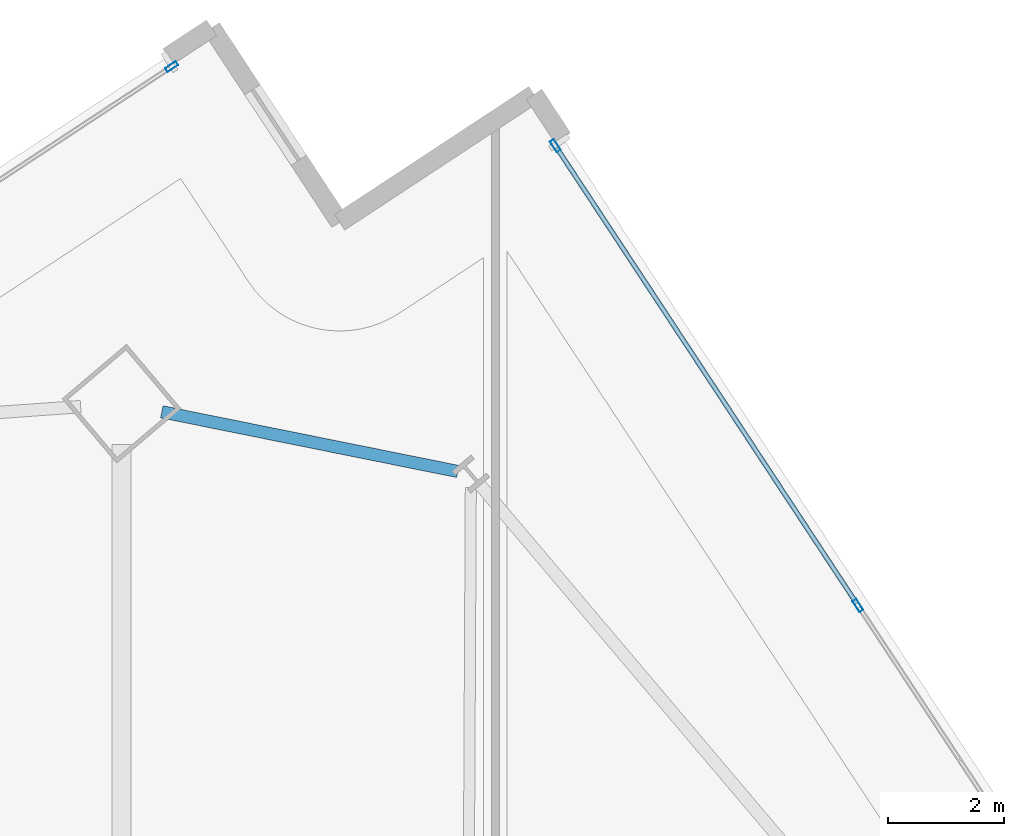
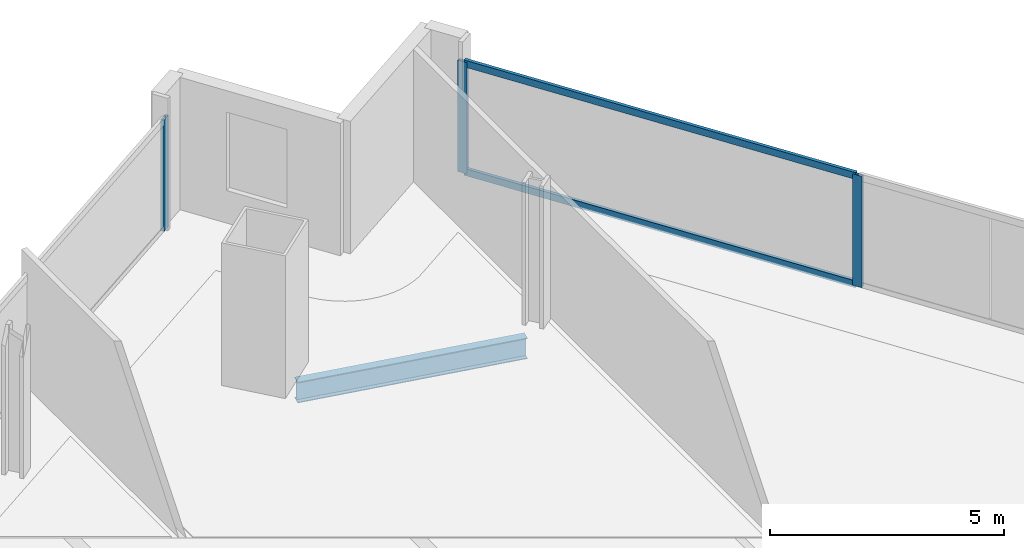
# One storey, part 19 of 29: 5 members, 1 beam, 2 elements without a shape of their own.
"""IFC4 building model written with IfcOpenShell, lengths in metres."""

from ifc_helpers import new_model, si_unit, direction, frame, origin, origin_2d, place, context, subcontext, project, spatial, hollow_rectangle, i_section, extrude, material, material_profile, profile_set, type_object, element, aggregate, save


model = new_model("IFC4")

# Units and contexts
model_context = context("Model", 3, precision=1e-05, world=origin(), true_north=direction((0.0, 1.0)))
body_context = subcontext(model_context, "Body", "Model", "MODEL_VIEW")
ifc_project = project(units=[si_unit("LENGTHUNIT", "METRE"), si_unit("AREAUNIT", "SQUARE_METRE"), si_unit("VOLUMEUNIT", "CUBIC_METRE"), si_unit("PLANEANGLEUNIT", "RADIAN"), si_unit("MASSUNIT", "GRAM", prefix="KILO")], contexts=[model_context])

# Site, building, storey
site_placement = place(None, origin())
site = spatial("IfcSite", under=ifc_project, at=site_placement, CompositionType="ELEMENT")
building_placement = place(site_placement, origin())
building = spatial("IfcBuilding", under=site, at=building_placement, Name="Haldenkirk Collegiate Tower", CompositionType="ELEMENT")
storey_placement = place(building_placement, frame((0.0, 0.0, 140.699951171875)))
storey = spatial("IfcBuildingStorey", under=building, at=storey_placement, Name="L34", CompositionType="ELEMENT", Elevation=140.699951171875)

# Beam
ifc_material_1 = material(Name="Steel ASTM A992 Grade 50", Category="steel")
ifc_material_profile_1 = material_profile(ifc_material_1, i_section(OverallWidth=0.2119140625, OverallDepth=0.5439453125, WebThickness=0.01318359375, FlangeThickness=0.021240234375, at=origin_2d()), Name="W21X83")
ifc_profile_set_1 = profile_set([ifc_material_profile_1], Name="Steel ASTM A992 Grade 50")
beam_type = type_object("IfcBeamType", Name="BM-SPANDREL-W21X83", PredefinedType="SPANDREL", material=ifc_profile_set_1)
beam_placement = place(storey_placement, frame((44.85546875, 49.910400390625, -0.56201171875), z_axis=(-0.980286465062, 0.197581493102, 0.0), x_axis=(-0.197581493102, -0.980286465062, 0.0)))
element("IfcBeam", 1, at=beam_placement, inside=storey, type_object=beam_type, Name="L34 perimeter spandrel beam 08", PredefinedType="SPANDREL", context=body_context, shape_type="SweptSolid", body=[
    extrude(i_section(OverallWidth=0.2119140625, OverallDepth=0.5439453125, WebThickness=0.01318359375, FlangeThickness=0.021240234375, at=origin_2d()), origin(), (0.0, 0.0, 1.0), 5.189697265625),
])

# Curtain wall, members
ifc_material_2 = material(Name="Anodised architectural bronze aluminium", Category="aluminium")
curtain_wall_type = type_object("IfcCurtainWallType", Name="CW-SYS1-CONVEX-LOW", PredefinedType="USERDEFINED", material=ifc_material_2)
curtain_wall_1_placement = place(storey_placement, origin())
curtain_wall_1 = element("IfcCurtainWall", 2, at=curtain_wall_1_placement, inside=storey, type_object=curtain_wall_type, Name="L34 Lower tower convex bronze-framed unitised curtain wall", ObjectType="UNITISED CURTAIN WALL", PredefinedType="USERDEFINED")
ifc_material_profile_2 = material_profile(ifc_material_2, hollow_rectangle(XDim=0.080078125, YDim=0.219970703125, WallThickness=0.0048828125, at=origin_2d()), Name="CW-MUL-1A")
ifc_profile_set_2 = profile_set([ifc_material_profile_2], Name="Anodised architectural bronze aluminium")
member_type_1 = type_object("IfcMemberType", Name="CW-MUL-1A", PredefinedType="MULLION", material=ifc_profile_set_2)
member_1_placement = place(storey_placement, frame((46.531494140625, 55.509033203125, 0.0), z_axis=(0.0, 0.0, 1.0), x_axis=(0.835328355519, 0.549751342395, 0.0)))
member_1 = element("IfcMember", 3, at=member_1_placement, type_object=member_type_1, Name="CW-1A mullion 1", PredefinedType="MULLION", context=body_context, shape_type="SweptSolid", body=[
    extrude(hollow_rectangle(XDim=0.080078125, YDim=0.219970703125, WallThickness=0.0048828125, at=origin_2d()), origin(), (0.0, 0.0, 1.0), 2.9111328125),
])
member_2_placement = place(storey_placement, frame((51.732177734375, 47.606689453125, 0.0), z_axis=(0.0, 0.0, 1.0), x_axis=(0.835328355519, 0.549751342395, 0.0)))
member_2 = element("IfcMember", 4, at=member_2_placement, type_object=member_type_1, Name="CW-1A mullion 2", PredefinedType="MULLION", context=body_context, shape_type="SweptSolid", body=[
    extrude(hollow_rectangle(XDim=0.080078125, YDim=0.219970703125, WallThickness=0.0048828125, at=origin_2d()), origin(), (0.0, 0.0, 1.0), 2.9111328125),
])

# Curtain wall, member
curtain_wall_2_placement = place(storey_placement, origin())
curtain_wall_2 = element("IfcCurtainWall", 5, at=curtain_wall_2_placement, inside=storey, type_object=curtain_wall_type, Name="L34 Lower tower convex bronze-framed unitised curtain wall", ObjectType="UNITISED CURTAIN WALL", PredefinedType="USERDEFINED")
member_3_placement = place(storey_placement, frame((39.938720703125, 56.868408203125, 0.0), z_axis=(0.0, 0.0, 1.0), x_axis=(-0.549749899663, 0.835329305017, 0.0)))
member_3 = element("IfcMember", 6, at=member_3_placement, type_object=member_type_1, Name="CW-1A mullion 5", PredefinedType="MULLION", context=body_context, shape_type="SweptSolid", body=[
    extrude(hollow_rectangle(XDim=0.080078125, YDim=0.219970703125, WallThickness=0.0048828125, at=origin_2d()), origin(), (0.0, 0.0, 1.0), 2.9111328125),
])
aggregate(curtain_wall_2, [member_3])

# Member
ifc_material_profile_3 = material_profile(ifc_material_2, hollow_rectangle(XDim=0.080078125, YDim=0.179931640625, WallThickness=0.0048828125, at=origin_2d()), Name="CW-TRN-1A")
ifc_profile_set_3 = profile_set([ifc_material_profile_3], Name="Anodised architectural bronze aluminium")
member_type_2 = type_object("IfcMemberType", Name="CW-TRN-1A", PredefinedType="USERDEFINED", material=ifc_profile_set_3)
member_4_placement = place(storey_placement, frame((46.553466796875, 55.4755859375, 0.0400390625), z_axis=(0.549753210914, -0.835327125796, 0.0), x_axis=(0.835327125796, 0.549753210914, 0.0)))
member_4 = element("IfcMember", 7, at=member_4_placement, type_object=member_type_2, Name="CW-1A transom 1.1", ObjectType="TRANSOM", PredefinedType="USERDEFINED", context=body_context, shape_type="SweptSolid", body=[
    extrude(hollow_rectangle(XDim=0.080078125, YDim=0.179931640625, WallThickness=0.0048828125, at=origin_2d()), origin(), (0.0, 0.0, 1.0), 9.380126953125),
])

member_5_placement = place(storey_placement, frame((46.553466796875, 55.4755859375, 2.87109375), z_axis=(0.549753210914, -0.835327125796, 0.0), x_axis=(0.835327125796, 0.549753210914, 0.0)))
member_5 = element("IfcMember", 8, at=member_5_placement, type_object=member_type_2, Name="CW-1A transom 1.2", ObjectType="TRANSOM", PredefinedType="USERDEFINED", context=body_context, shape_type="SweptSolid", body=[
    extrude(hollow_rectangle(XDim=0.080078125, YDim=0.179931640625, WallThickness=0.0048828125, at=origin_2d()), origin(), (0.0, 0.0, 1.0), 9.380126953125),
])

aggregate(curtain_wall_1, [member_1, member_2, member_4, member_5])

save(model, "model.ifc")
